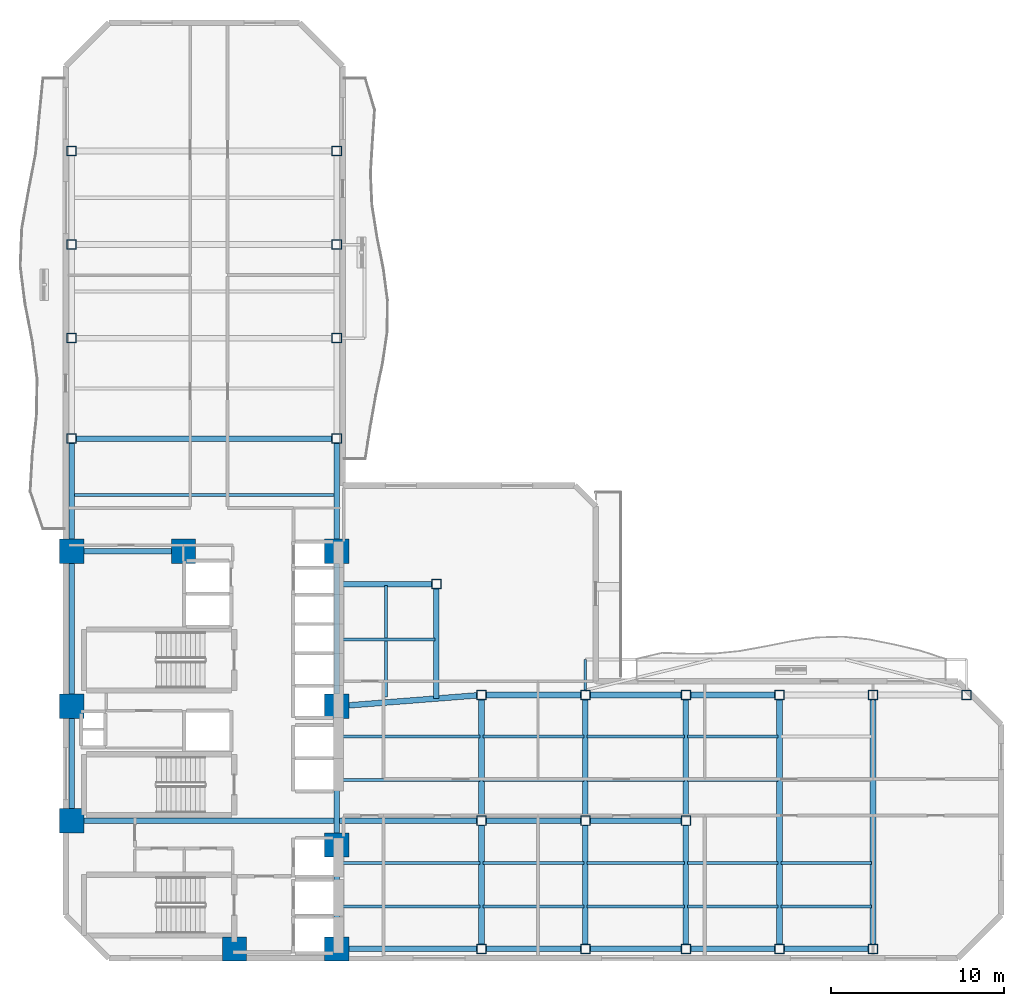
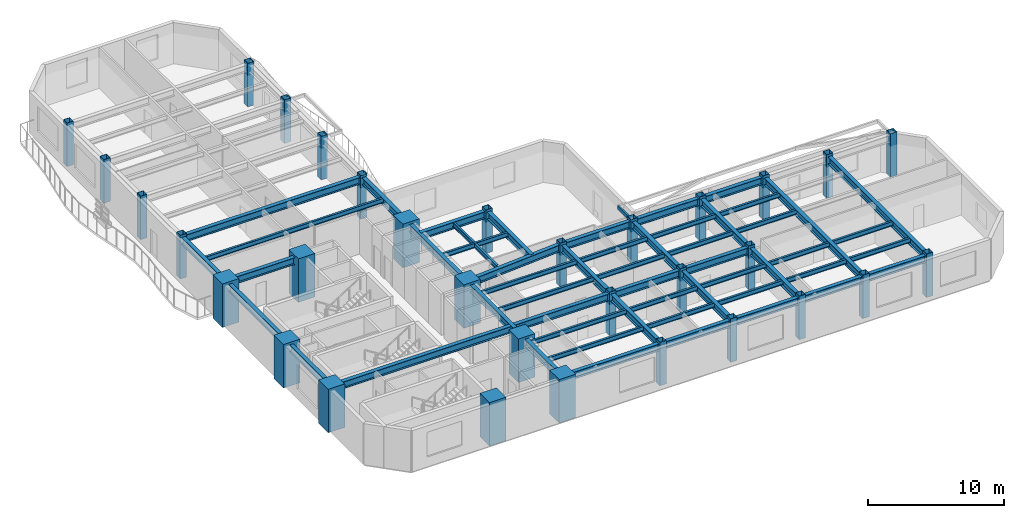
# One storey, part 1 of 10: 53 beams, 32 columns.
"""IFC4 building model written with IfcOpenShell, lengths in metres."""

from ifc_helpers import new_model, si_unit, direction, frame, origin, origin_2d, place, context, subcontext, project, spatial, rectangle, hollow_rectangle, i_section, extrude, material, material_profile, profile_set, type_object, element, save


model = new_model("IFC4")

# Units and contexts
model_context = context("Model", 3, precision=1e-05, world=origin(), true_north=direction((0.0, 1.0)))
body_context = subcontext(model_context, "Body", "Model", "MODEL_VIEW")
ifc_project = project(units=[si_unit("LENGTHUNIT", "METRE"), si_unit("AREAUNIT", "SQUARE_METRE"), si_unit("VOLUMEUNIT", "CUBIC_METRE"), si_unit("PLANEANGLEUNIT", "RADIAN"), si_unit("MASSUNIT", "GRAM", prefix="KILO")], contexts=[model_context])

# Site, building, storey
site_placement = place(None, origin())
site = spatial("IfcSite", under=ifc_project, at=site_placement, CompositionType="ELEMENT")
building_placement = place(site_placement, origin())
building = spatial("IfcBuilding", under=site, at=building_placement, Name="Mawjaban Terraces University", CompositionType="ELEMENT")
storey_placement = place(building_placement, frame((0.0, 0.0, 50.5)))
storey = spatial("IfcBuildingStorey", under=building, at=storey_placement, Name="L11", CompositionType="ELEMENT", Elevation=50.5)

# Columns
ifc_material_1 = material(Name="Concrete C70/85", Category="concrete")
ifc_material_profile_1 = material_profile(ifc_material_1, rectangle(XDim=1.39990234375, YDim=1.39990234375, at=origin_2d()), Name="RC1400X1400")
ifc_profile_set_1 = profile_set([ifc_material_profile_1], Name="Concrete C70/85")
column_type_1 = type_object("IfcColumnType", Name="Col_RC1400X1400", PredefinedType="COLUMN", material=ifc_profile_set_1)
for number, where, z_axis, x_axis, name in (
    (1, (31.75, 0.550048828125, 0.0), (0.0, 0.0, 1.0), (1.0, 0.0, 0.0), "L11 Column CC2"),
    (2, (37.64990234375, 0.550048828125, 0.0), (0.0, 0.0, 1.0), (1.0, 0.0, 0.0), "L11 Column CC3"),
    (3, (22.35009765625, 7.949951171875, 0.0), (0.0, 0.0, 1.0), (1.0, 0.0, 0.0), "L11 Column CC4"),
    (4, (37.64990234375, 6.550048828125, 0.0), (0.0, 0.0, 1.0), (1.0, 0.0, 0.0), "L11 Column CC5"),
    (5, (22.35009765625, 14.550048828125, 0.0), (0.0, 0.0, 1.0), (1.0, 0.0, 0.0), "L11 Column CC6"),
    (6, (37.64990234375, 14.550048828125, 0.0), (0.0, 0.0, 1.0), (1.0, 0.0, 0.0), "L11 Column CC7"),
    (7, (22.35009765625, 23.5, 0.0), (0.0, 0.0, 1.0), (1.0, 0.0, 0.0), "L11 Column CC8"),
    (8, (28.800048828125, 23.5, 0.0), (0.0, 0.0, 1.0), (1.0, 0.0, 0.0), "L11 Column CC9"),
    (9, (37.64990234375, 23.5, 0.0), (0.0, 0.0, 1.0), (1.0, 0.0, 0.0), "L11 Column CC10"),
):
    element("IfcColumn", number, at=place(storey_placement, frame(where, z_axis=z_axis, x_axis=x_axis)), inside=storey, type_object=column_type_1, Name=name, PredefinedType="COLUMN", context=body_context, shape_type="SweptSolid", body=[
        extrude(rectangle(XDim=1.39990234375, YDim=1.39990234375, at=origin_2d()), origin(), (0.0, 0.0, 1.0), 3.89990234375),
    ])
ifc_material_2 = material(Name="Steel EN 10210-1 S355J2H", Category="steel")
ifc_material_profile_2 = material_profile(ifc_material_2, hollow_rectangle(XDim=0.550048828125, YDim=0.550048828125, WallThickness=0.02490234375, at=origin_2d()), Name="SHS550X550X25")
ifc_profile_set_2 = profile_set([ifc_material_profile_2], Name="Steel EN 10210-1 S355J2H")
column_type_2 = type_object("IfcColumnType", Name="Col_SHS550X550X25", PredefinedType="COLUMN", material=ifc_profile_set_2)
for number, where, z_axis, x_axis, name in (
    (10, (46.0, 0.550048828125, 0.0), (0.0, 0.0, 1.0), (1.0, 0.0, 0.0), "L11 Column TE-460-005"),
    (11, (46.0, 7.949951171875, 0.0), (0.0, 0.0, 1.0), (1.0, 0.0, 0.0), "L11 Column TE-460-080"),
    (12, (46.0, 15.199951171875, 0.0), (0.0, 0.0, 1.0), (1.0, 0.0, 0.0), "L11 Column TE-460-152"),
    (13, (52.0, 0.550048828125, 0.0), (0.0, 0.0, 1.0), (1.0, 0.0, 0.0), "L11 Column TE-520-005"),
    (14, (52.0, 7.949951171875, 0.0), (0.0, 0.0, 1.0), (1.0, 0.0, 0.0), "L11 Column TE-520-080"),
    (15, (52.0, 15.199951171875, 0.0), (0.0, 0.0, 1.0), (1.0, 0.0, 0.0), "L11 Column TE-520-152"),
    (16, (57.800048828125, 0.550048828125, 0.0), (0.0, 0.0, 1.0), (1.0, 0.0, 0.0), "L11 Column TE-578-005"),
    (17, (57.800048828125, 7.949951171875, 0.0), (0.0, 0.0, 1.0), (1.0, 0.0, 0.0), "L11 Column TE-578-080"),
    (18, (57.800048828125, 15.199951171875, 0.0), (0.0, 0.0, 1.0), (1.0, 0.0, 0.0), "L11 Column TE-578-152"),
    (19, (63.199951171875, 0.550048828125, 0.0), (0.0, 0.0, 1.0), (1.0, 0.0, 0.0), "L11 Column TE-632-005"),
    (20, (63.199951171875, 15.199951171875, 0.0), (0.0, 0.0, 1.0), (1.0, 0.0, 0.0), "L11 Column TE-632-152"),
    (21, (68.60009765625, 0.550048828125, 0.0), (0.0, 0.0, 1.0), (1.0, 0.0, 0.0), "L11 Column TE-686-005"),
    (22, (68.60009765625, 15.199951171875, 0.0), (0.0, 0.0, 1.0), (1.0, 0.0, 0.0), "L11 Column TE-686-152"),
    (23, (74.0, 15.199951171875, 0.0), (0.0, 0.0, 1.0), (1.0, 0.0, 0.0), "L11 Column TE-740-152"),
    (24, (22.35009765625, 30.0, 0.0), (0.0, 0.0, 1.0), (1.0, 0.0, 0.0), "L11 Column TN-223-300"),
    (25, (37.64990234375, 30.0, 0.0), (0.0, 0.0, 1.0), (1.0, 0.0, 0.0), "L11 Column TN-376-300"),
    (26, (22.35009765625, 35.800048828125, 0.0), (0.0, 0.0, 1.0), (1.0, 0.0, 0.0), "L11 Column TN-223-358"),
    (27, (37.64990234375, 35.800048828125, 0.0), (0.0, 0.0, 1.0), (1.0, 0.0, 0.0), "L11 Column TN-376-358"),
    (28, (22.35009765625, 41.199951171875, 0.0), (0.0, 0.0, 1.0), (1.0, 0.0, 0.0), "L11 Column TN-223-412"),
    (29, (37.64990234375, 41.199951171875, 0.0), (0.0, 0.0, 1.0), (1.0, 0.0, 0.0), "L11 Column TN-376-412"),
    (30, (22.35009765625, 46.60009765625, 0.0), (0.0, 0.0, 1.0), (1.0, 0.0, 0.0), "L11 Column TN-223-466"),
    (31, (37.64990234375, 46.60009765625, 0.0), (0.0, 0.0, 1.0), (1.0, 0.0, 0.0), "L11 Column TN-376-466"),
    (32, (43.39990234375, 21.60009765625, 0.0), (0.0, 0.0, 1.0), (1.0, 0.0, 0.0), "L11 Column TS-434-216"),
):
    element("IfcColumn", number, at=place(storey_placement, frame(where, z_axis=z_axis, x_axis=x_axis)), inside=storey, type_object=column_type_2, Name=name, PredefinedType="COLUMN", context=body_context, shape_type="SweptSolid", body=[
        extrude(hollow_rectangle(XDim=0.550048828125, YDim=0.550048828125, WallThickness=0.02490234375, at=origin_2d()), origin(), (0.0, 0.0, 1.0), 3.89990234375),
    ])

# Beams
ifc_material_profile_3 = material_profile(ifc_material_2, hollow_rectangle(XDim=0.14990234375, YDim=0.300048828125, WallThickness=0.012451171875, at=origin_2d()), Name="RHS300X150X12.5")
ifc_profile_set_3 = profile_set([ifc_material_profile_3], Name="Steel EN 10210-1 S355J2H")
beam_type_1 = type_object("IfcBeamType", Name="BalconyCantileverSpandrel_RHS", PredefinedType="SPANDREL", material=ifc_profile_set_3)
beam_1_placement = place(storey_placement, frame((52.0, 15.47509765625, 3.5400390625), z_axis=(0.0, 1.0, 0.0), x_axis=(-1.0, 0.0, 0.0)))
element("IfcBeam", 33, at=beam_1_placement, inside=storey, type_object=beam_type_1, Name="L11 Exterior Outrigger BAL-L12-N.1", PredefinedType="SPANDREL", context=body_context, shape_type="SweptSolid", body=[
    extrude(hollow_rectangle(XDim=0.14990234375, YDim=0.300048828125, WallThickness=0.012451171875, at=origin_2d()), origin(), (0.0, 0.0, 1.0), 1.77490234375),
])
ifc_material_3 = material(Name="Steel ASTM A572 Grade 50", Category="steel")
ifc_material_profile_4 = material_profile(ifc_material_3, i_section(OverallWidth=0.3291015625, OverallDepth=0.635009765625, WebThickness=0.017822265625, FlangeThickness=0.031005859375, at=origin_2d()), Name="W610X241")
ifc_profile_set_4 = profile_set([ifc_material_profile_4], Name="Steel ASTM A572 Grade 50")
beam_type_2 = type_object("IfcBeamType", Name="Beam_B_W610X241", PredefinedType="BEAM", material=ifc_profile_set_4)
beam_2_placement = place(storey_placement, frame((38.35009765625, 0.550048828125, 3.3720703125), z_axis=(1.0, 0.0, 0.0), x_axis=(0.0, 1.0, 0.0)))
element("IfcBeam", 34, at=beam_2_placement, inside=storey, type_object=beam_type_2, Name="L11 Beam BM-L11-EW-01", PredefinedType="BEAM", context=body_context, shape_type="SweptSolid", body=[
    extrude(i_section(OverallWidth=0.3291015625, OverallDepth=0.635009765625, WebThickness=0.017822265625, FlangeThickness=0.031005859375, at=origin_2d()), origin(), (0.0, 0.0, 1.0), 7.375),
])
beam_3_placement = place(storey_placement, frame((46.27490234375, 0.550048828125, 3.3720703125), z_axis=(1.0, 0.0, 0.0), x_axis=(0.0, 1.0, 0.0)))
element("IfcBeam", 35, at=beam_3_placement, inside=storey, type_object=beam_type_2, Name="L11 Beam BM-L11-EW-02", PredefinedType="BEAM", context=body_context, shape_type="SweptSolid", body=[
    extrude(i_section(OverallWidth=0.3291015625, OverallDepth=0.635009765625, WebThickness=0.017822265625, FlangeThickness=0.031005859375, at=origin_2d()), origin(), (0.0, 0.0, 1.0), 5.4501953125),
])
beam_4_placement = place(storey_placement, frame((52.27490234375, 0.550048828125, 3.3720703125), z_axis=(1.0, 0.0, 0.0), x_axis=(0.0, 1.0, 0.0)))
element("IfcBeam", 36, at=beam_4_placement, inside=storey, type_object=beam_type_2, Name="L11 Beam BM-L11-EW-03", PredefinedType="BEAM", context=body_context, shape_type="SweptSolid", body=[
    extrude(i_section(OverallWidth=0.3291015625, OverallDepth=0.635009765625, WebThickness=0.017822265625, FlangeThickness=0.031005859375, at=origin_2d()), origin(), (0.0, 0.0, 1.0), 5.25),
])
beam_5_placement = place(storey_placement, frame((58.074951171875, 0.550048828125, 3.3720703125), z_axis=(1.0, 0.0, 0.0), x_axis=(0.0, 1.0, 0.0)))
element("IfcBeam", 37, at=beam_5_placement, inside=storey, type_object=beam_type_2, Name="L11 Beam BM-L11-EW-04", PredefinedType="BEAM", context=body_context, shape_type="SweptSolid", body=[
    extrude(i_section(OverallWidth=0.3291015625, OverallDepth=0.635009765625, WebThickness=0.017822265625, FlangeThickness=0.031005859375, at=origin_2d()), origin(), (0.0, 0.0, 1.0), 4.85009765625),
])
beam_6_placement = place(storey_placement, frame((63.47509765625, 0.550048828125, 3.3720703125), z_axis=(1.0, 0.0, 0.0), x_axis=(0.0, 1.0, 0.0)))
element("IfcBeam", 38, at=beam_6_placement, inside=storey, type_object=beam_type_2, Name="L11 Beam BM-L11-EW-05", PredefinedType="BEAM", context=body_context, shape_type="SweptSolid", body=[
    extrude(i_section(OverallWidth=0.3291015625, OverallDepth=0.635009765625, WebThickness=0.017822265625, FlangeThickness=0.031005859375, at=origin_2d()), origin(), (0.0, 0.0, 1.0), 4.849853515625),
])
beam_7_placement = place(storey_placement, frame((23.050048828125, 7.949951171875, 3.3720703125), z_axis=(1.0, 0.0, 0.0), x_axis=(0.0, 1.0, 0.0)))
element("IfcBeam", 39, at=beam_7_placement, inside=storey, type_object=beam_type_2, Name="L11 Beam BM-L11-EW-06", PredefinedType="BEAM", context=body_context, shape_type="SweptSolid", body=[
    extrude(i_section(OverallWidth=0.3291015625, OverallDepth=0.635009765625, WebThickness=0.017822265625, FlangeThickness=0.031005859375, at=origin_2d()), origin(), (0.0, 0.0, 1.0), 22.675048828125),
])
beam_8_placement = place(storey_placement, frame((46.27490234375, 7.949951171875, 3.3720703125), z_axis=(1.0, 0.0, 0.0), x_axis=(0.0, 1.0, 0.0)))
element("IfcBeam", 40, at=beam_8_placement, inside=storey, type_object=beam_type_2, Name="L11 Beam BM-L11-EW-07", PredefinedType="BEAM", context=body_context, shape_type="SweptSolid", body=[
    extrude(i_section(OverallWidth=0.3291015625, OverallDepth=0.635009765625, WebThickness=0.017822265625, FlangeThickness=0.031005859375, at=origin_2d()), origin(), (0.0, 0.0, 1.0), 5.4501953125),
])
beam_9_placement = place(storey_placement, frame((52.27490234375, 7.949951171875, 3.3720703125), z_axis=(1.0, 0.0, 0.0), x_axis=(0.0, 1.0, 0.0)))
element("IfcBeam", 41, at=beam_9_placement, inside=storey, type_object=beam_type_2, Name="L11 Beam BM-L11-EW-08", PredefinedType="BEAM", context=body_context, shape_type="SweptSolid", body=[
    extrude(i_section(OverallWidth=0.3291015625, OverallDepth=0.635009765625, WebThickness=0.017822265625, FlangeThickness=0.031005859375, at=origin_2d()), origin(), (0.0, 0.0, 1.0), 5.25),
])
beam_10_placement = place(storey_placement, frame((46.27490234375, 15.199951171875, 3.3720703125), z_axis=(1.0, 0.0, 0.0), x_axis=(0.0, 1.0, 0.0)))
element("IfcBeam", 42, at=beam_10_placement, inside=storey, type_object=beam_type_2, Name="L11 Beam BM-L11-EW-09", PredefinedType="BEAM", context=body_context, shape_type="SweptSolid", body=[
    extrude(i_section(OverallWidth=0.3291015625, OverallDepth=0.635009765625, WebThickness=0.017822265625, FlangeThickness=0.031005859375, at=origin_2d()), origin(), (0.0, 0.0, 1.0), 5.4501953125),
])
beam_11_placement = place(storey_placement, frame((52.27490234375, 15.199951171875, 3.3720703125), z_axis=(1.0, 0.0, 0.0), x_axis=(0.0, 1.0, 0.0)))
element("IfcBeam", 43, at=beam_11_placement, inside=storey, type_object=beam_type_2, Name="L11 Beam BM-L11-EW-10", PredefinedType="BEAM", context=body_context, shape_type="SweptSolid", body=[
    extrude(i_section(OverallWidth=0.3291015625, OverallDepth=0.635009765625, WebThickness=0.017822265625, FlangeThickness=0.031005859375, at=origin_2d()), origin(), (0.0, 0.0, 1.0), 5.25),
])
beam_12_placement = place(storey_placement, frame((58.074951171875, 15.199951171875, 3.3720703125), z_axis=(1.0, 0.0, 0.0), x_axis=(0.0, 1.0, 0.0)))
element("IfcBeam", 44, at=beam_12_placement, inside=storey, type_object=beam_type_2, Name="L11 Beam BM-L11-EW-11", PredefinedType="BEAM", context=body_context, shape_type="SweptSolid", body=[
    extrude(i_section(OverallWidth=0.3291015625, OverallDepth=0.635009765625, WebThickness=0.017822265625, FlangeThickness=0.031005859375, at=origin_2d()), origin(), (0.0, 0.0, 1.0), 4.85009765625),
])
beam_13_placement = place(storey_placement, frame((23.050048828125, 23.5, 3.3720703125), z_axis=(1.0, 0.0, 0.0), x_axis=(0.0, 1.0, 0.0)))
element("IfcBeam", 45, at=beam_13_placement, inside=storey, type_object=beam_type_2, Name="L11 Beam BM-L11-EW-14", PredefinedType="BEAM", context=body_context, shape_type="SweptSolid", body=[
    extrude(i_section(OverallWidth=0.3291015625, OverallDepth=0.635009765625, WebThickness=0.017822265625, FlangeThickness=0.031005859375, at=origin_2d()), origin(), (0.0, 0.0, 1.0), 5.050048828125),
])
beam_14_placement = place(storey_placement, frame((22.625, 30.0, 3.3720703125), z_axis=(1.0, 0.0, 0.0), x_axis=(0.0, 1.0, 0.0)))
element("IfcBeam", 46, at=beam_14_placement, inside=storey, type_object=beam_type_2, Name="L11 Beam BM-L11-EW-15", PredefinedType="BEAM", context=body_context, shape_type="SweptSolid", body=[
    extrude(i_section(OverallWidth=0.3291015625, OverallDepth=0.635009765625, WebThickness=0.017822265625, FlangeThickness=0.031005859375, at=origin_2d()), origin(), (0.0, 0.0, 1.0), 14.75),
])
beam_15_placement = place(storey_placement, frame((22.35009765625, 8.64990234375, 3.3720703125), z_axis=(0.0, 1.0, 0.0), x_axis=(-1.0, 0.0, 0.0)))
element("IfcBeam", 47, at=beam_15_placement, inside=storey, type_object=beam_type_2, Name="L11 Beam BM-L11-NS-01", PredefinedType="BEAM", context=body_context, shape_type="SweptSolid", body=[
    extrude(i_section(OverallWidth=0.3291015625, OverallDepth=0.635009765625, WebThickness=0.017822265625, FlangeThickness=0.031005859375, at=origin_2d()), origin(), (0.0, 0.0, 1.0), 5.2001953125),
])
beam_16_placement = place(storey_placement, frame((22.35009765625, 15.25, 3.3720703125), z_axis=(0.0, 1.0, 0.0), x_axis=(-1.0, 0.0, 0.0)))
element("IfcBeam", 48, at=beam_16_placement, inside=storey, type_object=beam_type_2, Name="L11 Beam BM-L11-NS-02", PredefinedType="BEAM", context=body_context, shape_type="SweptSolid", body=[
    extrude(i_section(OverallWidth=0.3291015625, OverallDepth=0.635009765625, WebThickness=0.017822265625, FlangeThickness=0.031005859375, at=origin_2d()), origin(), (0.0, 0.0, 1.0), 7.550048828125),
])
beam_17_placement = place(storey_placement, frame((22.35009765625, 24.199951171875, 3.3720703125), z_axis=(0.0, 1.0, 0.0), x_axis=(-1.0, 0.0, 0.0)))
element("IfcBeam", 49, at=beam_17_placement, inside=storey, type_object=beam_type_2, Name="L11 Beam BM-L11-NS-03", PredefinedType="BEAM", context=body_context, shape_type="SweptSolid", body=[
    extrude(i_section(OverallWidth=0.3291015625, OverallDepth=0.635009765625, WebThickness=0.017822265625, FlangeThickness=0.031005859375, at=origin_2d()), origin(), (0.0, 0.0, 1.0), 5.525146484375),
])
beam_18_placement = place(storey_placement, frame((37.64990234375, 1.25, 3.3720703125), z_axis=(0.0, 1.0, 0.0), x_axis=(-1.0, 0.0, 0.0)))
element("IfcBeam", 50, at=beam_18_placement, inside=storey, type_object=beam_type_2, Name="L11 Beam BM-L11-NS-07", PredefinedType="BEAM", context=body_context, shape_type="SweptSolid", body=[
    extrude(i_section(OverallWidth=0.3291015625, OverallDepth=0.635009765625, WebThickness=0.017822265625, FlangeThickness=0.031005859375, at=origin_2d()), origin(), (0.0, 0.0, 1.0), 4.60009765625),
])
beam_19_placement = place(storey_placement, frame((37.64990234375, 7.25, 3.3720703125), z_axis=(0.0, 1.0, 0.0), x_axis=(-1.0, 0.0, 0.0)))
element("IfcBeam", 51, at=beam_19_placement, inside=storey, type_object=beam_type_2, Name="L11 Beam BM-L11-NS-08", PredefinedType="BEAM", context=body_context, shape_type="SweptSolid", body=[
    extrude(i_section(OverallWidth=0.3291015625, OverallDepth=0.635009765625, WebThickness=0.017822265625, FlangeThickness=0.031005859375, at=origin_2d()), origin(), (0.0, 0.0, 1.0), 6.60009765625),
])
beam_20_placement = place(storey_placement, frame((37.64990234375, 15.25, 3.3720703125), z_axis=(0.0, 1.0, 0.0), x_axis=(-1.0, 0.0, 0.0)))
element("IfcBeam", 52, at=beam_20_placement, inside=storey, type_object=beam_type_2, Name="L11 Beam BM-L11-NS-09", PredefinedType="BEAM", context=body_context, shape_type="SweptSolid", body=[
    extrude(i_section(OverallWidth=0.3291015625, OverallDepth=0.635009765625, WebThickness=0.017822265625, FlangeThickness=0.031005859375, at=origin_2d()), origin(), (0.0, 0.0, 1.0), 7.550048828125),
])
beam_21_placement = place(storey_placement, frame((37.64990234375, 24.199951171875, 3.3720703125), z_axis=(0.0, 1.0, 0.0), x_axis=(-1.0, 0.0, 0.0)))
element("IfcBeam", 53, at=beam_21_placement, inside=storey, type_object=beam_type_2, Name="L11 Beam BM-L11-NS-10", PredefinedType="BEAM", context=body_context, shape_type="SweptSolid", body=[
    extrude(i_section(OverallWidth=0.3291015625, OverallDepth=0.635009765625, WebThickness=0.017822265625, FlangeThickness=0.031005859375, at=origin_2d()), origin(), (0.0, 0.0, 1.0), 5.525146484375),
])
beam_22_placement = place(storey_placement, frame((46.0, 0.824951171875, 3.3720703125), z_axis=(0.0, 1.0, 0.0), x_axis=(-1.0, 0.0, 0.0)))
element("IfcBeam", 54, at=beam_22_placement, inside=storey, type_object=beam_type_2, Name="L11 Beam BM-L11-NS-14", PredefinedType="BEAM", context=body_context, shape_type="SweptSolid", body=[
    extrude(i_section(OverallWidth=0.3291015625, OverallDepth=0.635009765625, WebThickness=0.017822265625, FlangeThickness=0.031005859375, at=origin_2d()), origin(), (0.0, 0.0, 1.0), 6.85009765625),
])
beam_23_placement = place(storey_placement, frame((46.0, 8.22509765625, 3.3720703125), z_axis=(0.0, 1.0, 0.0), x_axis=(-1.0, 0.0, 0.0)))
element("IfcBeam", 55, at=beam_23_placement, inside=storey, type_object=beam_type_2, Name="L11 Beam BM-L11-NS-15", PredefinedType="BEAM", context=body_context, shape_type="SweptSolid", body=[
    extrude(i_section(OverallWidth=0.3291015625, OverallDepth=0.635009765625, WebThickness=0.017822265625, FlangeThickness=0.031005859375, at=origin_2d()), origin(), (0.0, 0.0, 1.0), 6.699951171875),
])
beam_24_placement = place(storey_placement, frame((52.0, 0.824951171875, 3.3720703125), z_axis=(0.0, 1.0, 0.0), x_axis=(-1.0, 0.0, 0.0)))
element("IfcBeam", 56, at=beam_24_placement, inside=storey, type_object=beam_type_2, Name="L11 Beam BM-L11-NS-16", PredefinedType="BEAM", context=body_context, shape_type="SweptSolid", body=[
    extrude(i_section(OverallWidth=0.3291015625, OverallDepth=0.635009765625, WebThickness=0.017822265625, FlangeThickness=0.031005859375, at=origin_2d()), origin(), (0.0, 0.0, 1.0), 6.85009765625),
])
beam_25_placement = place(storey_placement, frame((52.0, 8.22509765625, 3.3720703125), z_axis=(0.0, 1.0, 0.0), x_axis=(-1.0, 0.0, 0.0)))
element("IfcBeam", 57, at=beam_25_placement, inside=storey, type_object=beam_type_2, Name="L11 Beam BM-L11-NS-17", PredefinedType="BEAM", context=body_context, shape_type="SweptSolid", body=[
    extrude(i_section(OverallWidth=0.3291015625, OverallDepth=0.635009765625, WebThickness=0.017822265625, FlangeThickness=0.031005859375, at=origin_2d()), origin(), (0.0, 0.0, 1.0), 6.699951171875),
])
beam_26_placement = place(storey_placement, frame((57.800048828125, 0.824951171875, 3.3720703125), z_axis=(0.0, 1.0, 0.0), x_axis=(-1.0, 0.0, 0.0)))
element("IfcBeam", 58, at=beam_26_placement, inside=storey, type_object=beam_type_2, Name="L11 Beam BM-L11-NS-18", PredefinedType="BEAM", context=body_context, shape_type="SweptSolid", body=[
    extrude(i_section(OverallWidth=0.3291015625, OverallDepth=0.635009765625, WebThickness=0.017822265625, FlangeThickness=0.031005859375, at=origin_2d()), origin(), (0.0, 0.0, 1.0), 6.85009765625),
])
beam_27_placement = place(storey_placement, frame((57.800048828125, 8.22509765625, 3.3720703125), z_axis=(0.0, 1.0, 0.0), x_axis=(-1.0, 0.0, 0.0)))
element("IfcBeam", 59, at=beam_27_placement, inside=storey, type_object=beam_type_2, Name="L11 Beam BM-L11-NS-19", PredefinedType="BEAM", context=body_context, shape_type="SweptSolid", body=[
    extrude(i_section(OverallWidth=0.3291015625, OverallDepth=0.635009765625, WebThickness=0.017822265625, FlangeThickness=0.031005859375, at=origin_2d()), origin(), (0.0, 0.0, 1.0), 6.699951171875),
])
for number, where, z_axis, x_axis, name in (
    (60, (63.199951171875, 0.824951171875, 3.3720703125), (0.0, 1.0, 0.0), (-1.0, 0.0, 0.0), "L11 Beam BM-L11-NS-20"),
    (61, (68.60009765625, 0.824951171875, 3.3720703125), (0.0, 1.0, 0.0), (-1.0, 0.0, 0.0), "L11 Beam BM-L11-NS-21"),
):
    element("IfcBeam", number, at=place(storey_placement, frame(where, z_axis=z_axis, x_axis=x_axis)), inside=storey, type_object=beam_type_2, Name=name, PredefinedType="BEAM", context=body_context, shape_type="SweptSolid", body=[
        extrude(i_section(OverallWidth=0.3291015625, OverallDepth=0.635009765625, WebThickness=0.017822265625, FlangeThickness=0.031005859375, at=origin_2d()), origin(), (0.0, 0.0, 1.0), 14.10009765625),
    ])
beam_28_placement = place(storey_placement, frame((38.347900390625, 14.60400390625, 3.3720703125), z_axis=(0.996977531908, 0.077690416851, 0.0), x_axis=(-0.077690416851, 0.996977531908, 0.0)))
element("IfcBeam", 62, at=beam_28_placement, inside=storey, type_object=beam_type_2, Name="L11 Beam BM-L11-CTIE", PredefinedType="BEAM", context=body_context, shape_type="SweptSolid", body=[
    extrude(i_section(OverallWidth=0.3291015625, OverallDepth=0.635009765625, WebThickness=0.017822265625, FlangeThickness=0.031005859375, at=origin_2d()), origin(), (0.0, 0.0, 1.0), 7.400634765625),
])
beam_29_placement = place(storey_placement, frame((37.679931640625, 21.60009765625, 3.3720703125), z_axis=(1.0, 0.0, 0.0), x_axis=(0.0, 1.0, 0.0)))
element("IfcBeam", 63, at=beam_29_placement, inside=storey, type_object=beam_type_2, Name="L11 Spur Tie Girder West", PredefinedType="BEAM", context=body_context, shape_type="SweptSolid", body=[
    extrude(i_section(OverallWidth=0.3291015625, OverallDepth=0.635009765625, WebThickness=0.017822265625, FlangeThickness=0.031005859375, at=origin_2d()), origin(), (0.0, 0.0, 1.0), 5.445068359375),
])
beam_30_placement = place(storey_placement, frame((43.39990234375, 15.0, 3.3720703125), z_axis=(0.0, 1.0, 0.0), x_axis=(-1.0, 0.0, 0.0)))
element("IfcBeam", 64, at=beam_30_placement, inside=storey, type_object=beam_type_2, Name="L11 Spur Tie Girder South", PredefinedType="BEAM", context=body_context, shape_type="SweptSolid", body=[
    extrude(i_section(OverallWidth=0.3291015625, OverallDepth=0.635009765625, WebThickness=0.017822265625, FlangeThickness=0.031005859375, at=origin_2d()), origin(), (0.0, 0.0, 1.0), 6.324951171875),
])
ifc_material_profile_5 = material_profile(ifc_material_3, i_section(OverallWidth=0.179931640625, OverallDepth=0.4130859375, WebThickness=0.009765625, FlangeThickness=0.01611328125, at=origin_2d()), Name="W410X74")
ifc_profile_set_5 = profile_set([ifc_material_profile_5], Name="Steel ASTM A572 Grade 50")
beam_type_3 = type_object("IfcBeamType", Name="Beam_J_W410X74", PredefinedType="JOIST", material=ifc_profile_set_5)
beam_31_placement = place(storey_placement, frame((37.72998046875, 3.0, 3.48291015625), z_axis=(1.0, 0.0, 0.0), x_axis=(0.0, 1.0, 0.0)))
element("IfcBeam", 65, at=beam_31_placement, inside=storey, type_object=beam_type_3, Name="L11 Composite Joist JST-L11-01", PredefinedType="JOIST", context=body_context, shape_type="SweptSolid", body=[
    extrude(i_section(OverallWidth=0.179931640625, OverallDepth=0.4130859375, WebThickness=0.009765625, FlangeThickness=0.01611328125, at=origin_2d()), origin(), (0.0, 0.0, 1.0), 8.18994140625),
])
beam_32_placement = place(storey_placement, frame((46.080078125, 3.0, 3.48291015625), z_axis=(1.0, 0.0, 0.0), x_axis=(0.0, 1.0, 0.0)))
element("IfcBeam", 66, at=beam_32_placement, inside=storey, type_object=beam_type_3, Name="L11 Composite Joist JST-L11-02", PredefinedType="JOIST", context=body_context, shape_type="SweptSolid", body=[
    extrude(i_section(OverallWidth=0.179931640625, OverallDepth=0.4130859375, WebThickness=0.009765625, FlangeThickness=0.01611328125, at=origin_2d()), origin(), (0.0, 0.0, 1.0), 5.83984375),
])
beam_33_placement = place(storey_placement, frame((52.080078125, 3.0, 3.48291015625), z_axis=(1.0, 0.0, 0.0), x_axis=(0.0, 1.0, 0.0)))
element("IfcBeam", 67, at=beam_33_placement, inside=storey, type_object=beam_type_3, Name="L11 Composite Joist JST-L11-03", PredefinedType="JOIST", context=body_context, shape_type="SweptSolid", body=[
    extrude(i_section(OverallWidth=0.179931640625, OverallDepth=0.4130859375, WebThickness=0.009765625, FlangeThickness=0.01611328125, at=origin_2d()), origin(), (0.0, 0.0, 1.0), 5.639892578125),
])
beam_34_placement = place(storey_placement, frame((57.8798828125, 3.0, 3.48291015625), z_axis=(1.0, 0.0, 0.0), x_axis=(0.0, 1.0, 0.0)))
element("IfcBeam", 68, at=beam_34_placement, inside=storey, type_object=beam_type_3, Name="L11 Composite Joist JST-L11-04", PredefinedType="JOIST", context=body_context, shape_type="SweptSolid", body=[
    extrude(i_section(OverallWidth=0.179931640625, OverallDepth=0.4130859375, WebThickness=0.009765625, FlangeThickness=0.01611328125, at=origin_2d()), origin(), (0.0, 0.0, 1.0), 5.240234375),
])
beam_35_placement = place(storey_placement, frame((63.280029296875, 3.0, 3.48291015625), z_axis=(1.0, 0.0, 0.0), x_axis=(0.0, 1.0, 0.0)))
element("IfcBeam", 69, at=beam_35_placement, inside=storey, type_object=beam_type_3, Name="L11 Composite Joist JST-L11-05", PredefinedType="JOIST", context=body_context, shape_type="SweptSolid", body=[
    extrude(i_section(OverallWidth=0.179931640625, OverallDepth=0.4130859375, WebThickness=0.009765625, FlangeThickness=0.01611328125, at=origin_2d()), origin(), (0.0, 0.0, 1.0), 5.239990234375),
])
beam_36_placement = place(storey_placement, frame((37.72998046875, 5.5, 3.48291015625), z_axis=(1.0, 0.0, 0.0), x_axis=(0.0, 1.0, 0.0)))
element("IfcBeam", 70, at=beam_36_placement, inside=storey, type_object=beam_type_3, Name="L11 Composite Joist JST-L11-06", PredefinedType="JOIST", context=body_context, shape_type="SweptSolid", body=[
    extrude(i_section(OverallWidth=0.179931640625, OverallDepth=0.4130859375, WebThickness=0.009765625, FlangeThickness=0.01611328125, at=origin_2d()), origin(), (0.0, 0.0, 1.0), 8.18994140625),
])
beam_37_placement = place(storey_placement, frame((46.080078125, 5.5, 3.48291015625), z_axis=(1.0, 0.0, 0.0), x_axis=(0.0, 1.0, 0.0)))
element("IfcBeam", 71, at=beam_37_placement, inside=storey, type_object=beam_type_3, Name="L11 Composite Joist JST-L11-07", PredefinedType="JOIST", context=body_context, shape_type="SweptSolid", body=[
    extrude(i_section(OverallWidth=0.179931640625, OverallDepth=0.4130859375, WebThickness=0.009765625, FlangeThickness=0.01611328125, at=origin_2d()), origin(), (0.0, 0.0, 1.0), 5.83984375),
])
beam_38_placement = place(storey_placement, frame((52.080078125, 5.5, 3.48291015625), z_axis=(1.0, 0.0, 0.0), x_axis=(0.0, 1.0, 0.0)))
element("IfcBeam", 72, at=beam_38_placement, inside=storey, type_object=beam_type_3, Name="L11 Composite Joist JST-L11-08", PredefinedType="JOIST", context=body_context, shape_type="SweptSolid", body=[
    extrude(i_section(OverallWidth=0.179931640625, OverallDepth=0.4130859375, WebThickness=0.009765625, FlangeThickness=0.01611328125, at=origin_2d()), origin(), (0.0, 0.0, 1.0), 5.639892578125),
])
beam_39_placement = place(storey_placement, frame((57.8798828125, 5.5, 3.48291015625), z_axis=(1.0, 0.0, 0.0), x_axis=(0.0, 1.0, 0.0)))
element("IfcBeam", 73, at=beam_39_placement, inside=storey, type_object=beam_type_3, Name="L11 Composite Joist JST-L11-09", PredefinedType="JOIST", context=body_context, shape_type="SweptSolid", body=[
    extrude(i_section(OverallWidth=0.179931640625, OverallDepth=0.4130859375, WebThickness=0.009765625, FlangeThickness=0.01611328125, at=origin_2d()), origin(), (0.0, 0.0, 1.0), 5.240234375),
])
beam_40_placement = place(storey_placement, frame((63.280029296875, 5.5, 3.48291015625), z_axis=(1.0, 0.0, 0.0), x_axis=(0.0, 1.0, 0.0)))
element("IfcBeam", 74, at=beam_40_placement, inside=storey, type_object=beam_type_3, Name="L11 Composite Joist JST-L11-10", PredefinedType="JOIST", context=body_context, shape_type="SweptSolid", body=[
    extrude(i_section(OverallWidth=0.179931640625, OverallDepth=0.4130859375, WebThickness=0.009765625, FlangeThickness=0.01611328125, at=origin_2d()), origin(), (0.0, 0.0, 1.0), 5.239990234375),
])
beam_41_placement = place(storey_placement, frame((37.72998046875, 10.300048828125, 3.48291015625), z_axis=(1.0, 0.0, 0.0), x_axis=(0.0, 1.0, 0.0)))
element("IfcBeam", 75, at=beam_41_placement, inside=storey, type_object=beam_type_3, Name="L11 Composite Joist JST-L11-11", PredefinedType="JOIST", context=body_context, shape_type="SweptSolid", body=[
    extrude(i_section(OverallWidth=0.179931640625, OverallDepth=0.4130859375, WebThickness=0.009765625, FlangeThickness=0.01611328125, at=origin_2d()), origin(), (0.0, 0.0, 1.0), 8.18994140625),
])
beam_42_placement = place(storey_placement, frame((46.080078125, 10.300048828125, 3.48291015625), z_axis=(1.0, 0.0, 0.0), x_axis=(0.0, 1.0, 0.0)))
element("IfcBeam", 76, at=beam_42_placement, inside=storey, type_object=beam_type_3, Name="L11 Composite Joist JST-L11-12", PredefinedType="JOIST", context=body_context, shape_type="SweptSolid", body=[
    extrude(i_section(OverallWidth=0.179931640625, OverallDepth=0.4130859375, WebThickness=0.009765625, FlangeThickness=0.01611328125, at=origin_2d()), origin(), (0.0, 0.0, 1.0), 5.83984375),
])
beam_43_placement = place(storey_placement, frame((52.080078125, 10.300048828125, 3.48291015625), z_axis=(1.0, 0.0, 0.0), x_axis=(0.0, 1.0, 0.0)))
element("IfcBeam", 77, at=beam_43_placement, inside=storey, type_object=beam_type_3, Name="L11 Composite Joist JST-L11-13", PredefinedType="JOIST", context=body_context, shape_type="SweptSolid", body=[
    extrude(i_section(OverallWidth=0.179931640625, OverallDepth=0.4130859375, WebThickness=0.009765625, FlangeThickness=0.01611328125, at=origin_2d()), origin(), (0.0, 0.0, 1.0), 5.639892578125),
])
beam_44_placement = place(storey_placement, frame((57.8798828125, 10.300048828125, 3.48291015625), z_axis=(1.0, 0.0, 0.0), x_axis=(0.0, 1.0, 0.0)))
element("IfcBeam", 78, at=beam_44_placement, inside=storey, type_object=beam_type_3, Name="L11 Composite Joist JST-L11-14", PredefinedType="JOIST", context=body_context, shape_type="SweptSolid", body=[
    extrude(i_section(OverallWidth=0.179931640625, OverallDepth=0.4130859375, WebThickness=0.009765625, FlangeThickness=0.01611328125, at=origin_2d()), origin(), (0.0, 0.0, 1.0), 5.240234375),
])
beam_45_placement = place(storey_placement, frame((37.72998046875, 12.800048828125, 3.48291015625), z_axis=(1.0, 0.0, 0.0), x_axis=(0.0, 1.0, 0.0)))
element("IfcBeam", 79, at=beam_45_placement, inside=storey, type_object=beam_type_3, Name="L11 Composite Joist JST-L11-16", PredefinedType="JOIST", context=body_context, shape_type="SweptSolid", body=[
    extrude(i_section(OverallWidth=0.179931640625, OverallDepth=0.4130859375, WebThickness=0.009765625, FlangeThickness=0.01611328125, at=origin_2d()), origin(), (0.0, 0.0, 1.0), 8.18994140625),
])
beam_46_placement = place(storey_placement, frame((46.080078125, 12.800048828125, 3.48291015625), z_axis=(1.0, 0.0, 0.0), x_axis=(0.0, 1.0, 0.0)))
element("IfcBeam", 80, at=beam_46_placement, inside=storey, type_object=beam_type_3, Name="L11 Composite Joist JST-L11-17", PredefinedType="JOIST", context=body_context, shape_type="SweptSolid", body=[
    extrude(i_section(OverallWidth=0.179931640625, OverallDepth=0.4130859375, WebThickness=0.009765625, FlangeThickness=0.01611328125, at=origin_2d()), origin(), (0.0, 0.0, 1.0), 5.83984375),
])
beam_47_placement = place(storey_placement, frame((52.080078125, 12.800048828125, 3.48291015625), z_axis=(1.0, 0.0, 0.0), x_axis=(0.0, 1.0, 0.0)))
element("IfcBeam", 81, at=beam_47_placement, inside=storey, type_object=beam_type_3, Name="L11 Composite Joist JST-L11-18", PredefinedType="JOIST", context=body_context, shape_type="SweptSolid", body=[
    extrude(i_section(OverallWidth=0.179931640625, OverallDepth=0.4130859375, WebThickness=0.009765625, FlangeThickness=0.01611328125, at=origin_2d()), origin(), (0.0, 0.0, 1.0), 5.639892578125),
])
beam_48_placement = place(storey_placement, frame((57.8798828125, 12.800048828125, 3.48291015625), z_axis=(1.0, 0.0, 0.0), x_axis=(0.0, 1.0, 0.0)))
element("IfcBeam", 82, at=beam_48_placement, inside=storey, type_object=beam_type_3, Name="L11 Composite Joist JST-L11-19", PredefinedType="JOIST", context=body_context, shape_type="SweptSolid", body=[
    extrude(i_section(OverallWidth=0.179931640625, OverallDepth=0.4130859375, WebThickness=0.009765625, FlangeThickness=0.01611328125, at=origin_2d()), origin(), (0.0, 0.0, 1.0), 5.240234375),
])
beam_49_placement = place(storey_placement, frame((37.72998046875, 18.39990234375, 3.48291015625), z_axis=(1.0, 0.0, 0.0), x_axis=(0.0, 1.0, 0.0)))
element("IfcBeam", 83, at=beam_49_placement, inside=storey, type_object=beam_type_3, Name="L11 Composite Joist JST-L11-21", PredefinedType="JOIST", context=body_context, shape_type="SweptSolid", body=[
    extrude(i_section(OverallWidth=0.179931640625, OverallDepth=0.4130859375, WebThickness=0.009765625, FlangeThickness=0.01611328125, at=origin_2d()), origin(), (0.0, 0.0, 1.0), 5.590087890625),
])
beam_50_placement = place(storey_placement, frame((22.429931640625, 26.75, 3.48291015625), z_axis=(1.0, 0.0, 0.0), x_axis=(0.0, 1.0, 0.0)))
element("IfcBeam", 84, at=beam_50_placement, inside=storey, type_object=beam_type_3, Name="L11 Composite Joist JST-L11-22", PredefinedType="JOIST", context=body_context, shape_type="SweptSolid", body=[
    extrude(i_section(OverallWidth=0.179931640625, OverallDepth=0.4130859375, WebThickness=0.009765625, FlangeThickness=0.01611328125, at=origin_2d()), origin(), (0.0, 0.0, 1.0), 15.14013671875),
])
beam_51_placement = place(storey_placement, frame((40.5, 15.080078125, 3.48291015625), z_axis=(0.0, 1.0, 0.0), x_axis=(-1.0, 0.0, 0.0)))
element("IfcBeam", 85, at=beam_51_placement, inside=storey, type_object=beam_type_3, Name="L11 Composite Joist JST-L11-NS-26", PredefinedType="JOIST", context=body_context, shape_type="SweptSolid", body=[
    extrude(i_section(OverallWidth=0.179931640625, OverallDepth=0.4130859375, WebThickness=0.009765625, FlangeThickness=0.01611328125, at=origin_2d()), origin(), (0.0, 0.0, 1.0), 6.43994140625),
])

save(model, "model.ifc")
